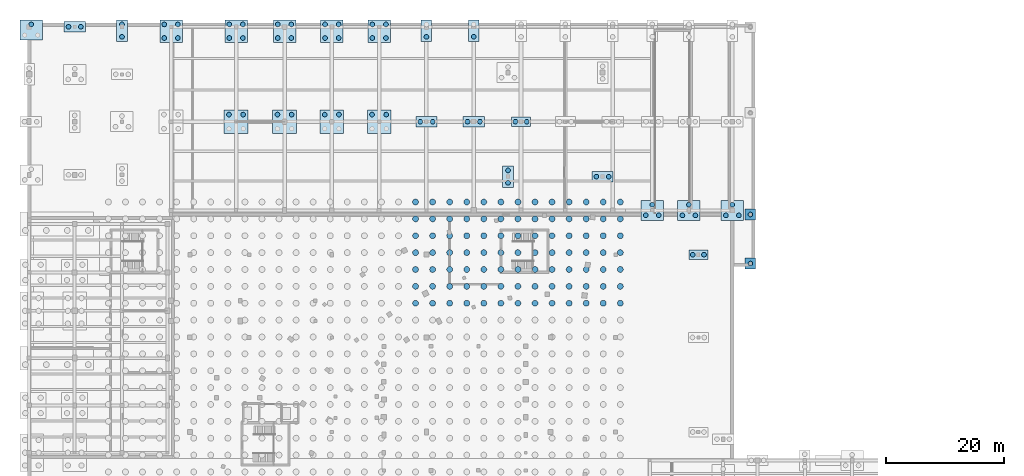
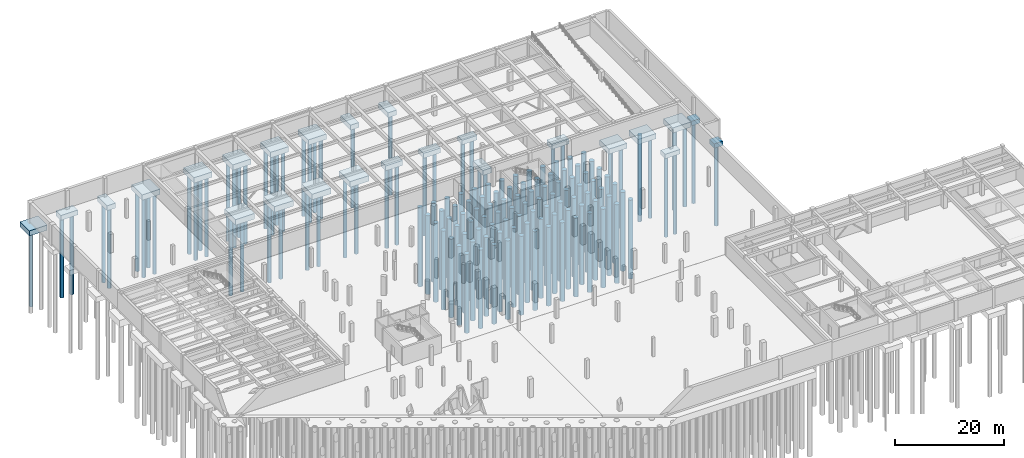
# One storey, part 6 of 36: 149 piles, 25 footings.
"""IFC4 building model written with IfcOpenShell, lengths in metres."""

from ifc_helpers import new_model, si_unit, direction, frame, origin, origin_2d, place, context, subcontext, project, spatial, rectangle, circle, extrude, material, material_profile, profile_set, type_object, element, save


model = new_model("IFC4")

# Units and contexts
model_context = context("Model", 3, precision=1e-05, world=origin(), true_north=direction((0.0, 1.0)))
body_context = subcontext(model_context, "Body", "Model", "MODEL_VIEW")
ifc_project = project(units=[si_unit("LENGTHUNIT", "METRE"), si_unit("AREAUNIT", "SQUARE_METRE"), si_unit("VOLUMEUNIT", "CUBIC_METRE"), si_unit("PLANEANGLEUNIT", "RADIAN"), si_unit("MASSUNIT", "GRAM", prefix="KILO"), si_unit("THERMODYNAMICTEMPERATUREUNIT", "KELVIN"), si_unit("POWERUNIT", "WATT")], contexts=[model_context])

# Site, building, storey
site_placement = place(None, origin())
site = spatial("IfcSite", under=ifc_project, at=site_placement, CompositionType="ELEMENT")
building_placement = place(site_placement, origin())
building = spatial("IfcBuilding", under=site, at=building_placement, Name="Solvatero Civic Police Headquarters", CompositionType="ELEMENT")
storey_placement = place(building_placement, frame((0.0, 0.0, -8.39990234375)))
storey = spatial("IfcBuildingStorey", under=building, at=storey_placement, Name="B02", CompositionType="ELEMENT", Elevation=-8.39990234375)

# Footings
ifc_material_1 = material(Name="Concrete C35/45", Category="concrete")
footing_type_1 = type_object("IfcFootingType", Name="PC-1P-180x180x100", PredefinedType="PILE_CAP", material=ifc_material_1)
for number, where, z_axis, x_axis, name in (
    (1, (126.800048828125, 76.5, -1.440185546875), (0.0, 0.0, 1.0), (1.0, 0.0, 0.0), "Driveway Pier Pile Cap 1"),
    (2, (126.800048828125, 84.800048828125, -1.440185546875), (0.0, 0.0, 1.0), (1.0, 0.0, 0.0), "Driveway Pier Pile Cap 2"),
):
    element("IfcFooting", number, at=place(storey_placement, frame(where, z_axis=z_axis, x_axis=x_axis)), inside=storey, type_object=footing_type_1, Name=name, PredefinedType="PILE_CAP", context=body_context, shape_type="SweptSolid", body=[
        extrude(rectangle(XDim=1.800048828125, YDim=1.800048828125, at=origin_2d()), origin(), (0.0, 0.0, 1.0), 1.0),
    ])
footing_type_2 = type_object("IfcFootingType", Name="PC-2P-180x360x110", PredefinedType="PILE_CAP", material=ifc_material_1)
for number, where, z_axis, x_axis, name in (
    (3, (85.800048828125, 91.199951171875, -1.5400390625), (0.0, 0.0, 1.0), (1.0, 0.0, 0.0), "Pile Cap FTG-R2-CUSY-SW"),
    (4, (72.0, 115.89990234375, -1.5400390625), (0.0, 0.0, 1.0), (1.0, 0.0, 0.0), "Pile Cap FTG-R2-V7-X6Y3"),
    (5, (80.0, 115.89990234375, -1.5400390625), (0.0, 0.0, 1.0), (1.0, 0.0, 0.0), "Pile Cap FTG-R2-V7-X7Y3"),
    (6, (20.5, 115.89990234375, -1.5400390625), (0.0, 0.0, 1.0), (1.0, 0.0, 0.0), "Pile Cap FTG-R2-V7NW-X3Y4"),
):
    element("IfcFooting", number, at=place(storey_placement, frame(where, z_axis=z_axis, x_axis=x_axis)), inside=storey, type_object=footing_type_2, Name=name, PredefinedType="PILE_CAP", context=body_context, shape_type="SweptSolid", body=[
        extrude(rectangle(XDim=1.800048828125, YDim=3.60009765625, at=origin_2d()), origin(), (0.0, 0.0, 1.0), 1.10009765625),
    ])
footing_type_3 = type_object("IfcFootingType", Name="PC-2P-320x160x100", PredefinedType="PILE_CAP", material=ifc_material_1)
for number, where, z_axis, x_axis, name in (
    (7, (118.0, 78.0, -1.440185546875), (0.0, 0.0, 1.0), (1.0, 0.0, 0.0), "Pile Cap FTG-R2-BSUB-M-X7Y3"),
    (8, (88.0, 100.5, -1.440185546875), (0.0, 0.0, 1.0), (1.0, 0.0, 0.0), "Pile Cap FTG-R2-V7-X8Y2"),
):
    element("IfcFooting", number, at=place(storey_placement, frame(where, z_axis=z_axis, x_axis=x_axis)), inside=storey, type_object=footing_type_3, Name=name, PredefinedType="PILE_CAP", context=body_context, shape_type="SweptSolid", body=[
        extrude(rectangle(XDim=3.199951171875, YDim=1.60009765625, at=origin_2d()), origin(), (0.0, 0.0, 1.0), 1.0),
    ])
footing_type_4 = type_object("IfcFootingType", Name="PC-2P-360x180x110", PredefinedType="PILE_CAP", material=ifc_material_1)
for number, where, z_axis, x_axis, name in (
    (9, (101.800048828125, 91.199951171875, -1.5400390625), (0.0, 0.0, 1.0), (1.0, 0.0, 0.0), "Pile Cap FTG-R2-CUSY-SE"),
    (10, (72.0, 100.5, -1.5400390625), (0.0, 0.0, 1.0), (1.0, 0.0, 0.0), "Pile Cap FTG-R2-V7-X6Y2"),
    (11, (80.0, 100.5, -1.5400390625), (0.0, 0.0, 1.0), (1.0, 0.0, 0.0), "Pile Cap FTG-R2-V7-X7Y2"),
    (12, (12.5, 116.550048828125, -1.5400390625), (0.0, 0.0, 1.0), (1.0, 0.0, 0.0), "Pile Cap FTG-R2-V7NW-X2Y4"),
):
    element("IfcFooting", number, at=place(storey_placement, frame(where, z_axis=z_axis, x_axis=x_axis)), inside=storey, type_object=footing_type_4, Name=name, PredefinedType="PILE_CAP", context=body_context, shape_type="SweptSolid", body=[
        extrude(rectangle(XDim=3.60009765625, YDim=1.800048828125, at=origin_2d()), origin(), (0.0, 0.0, 1.0), 1.10009765625),
    ])
footing_type_5 = type_object("IfcFootingType", Name="PC-3P-380x340x115", PredefinedType="PILE_CAP", material=ifc_material_1)
for number, where, z_axis, x_axis, name in (
    (13, (110.199951171875, 85.5, -1.590087890625), (0.0, 0.0, 1.0), (1.0, 0.0, 0.0), "Pile Cap FTG-R2-V7-X11Y1"),
    (14, (116.39990234375, 85.5, -1.590087890625), (0.0, 0.0, 1.0), (1.0, 0.0, 0.0), "Pile Cap FTG-R2-V7-X12Y1"),
    (15, (123.75, 85.5, -1.590087890625), (0.0, 0.0, 1.0), (1.0, 0.0, 0.0), "Pile Cap FTG-R2-V7-X13Y1"),
    (16, (5.14990234375, 116.0, -1.590087890625), (0.0, 0.0, 1.0), (1.0, 0.0, 0.0), "Pile Cap FTG-R2-V7NW-X1Y4"),
):
    element("IfcFooting", number, at=place(storey_placement, frame(where, z_axis=z_axis, x_axis=x_axis)), inside=storey, type_object=footing_type_5, Name=name, PredefinedType="PILE_CAP", context=body_context, shape_type="SweptSolid", body=[
        extrude(rectangle(XDim=3.800048828125, YDim=3.39990234375, at=origin_2d()), origin(), (0.0, 0.0, 1.0), 1.14990234375),
    ])
footing_type_6 = type_object("IfcFootingType", Name="PC-4P-380x380x120", PredefinedType="PILE_CAP", material=ifc_material_1)
for number, where, z_axis, x_axis, name in (
    (17, (28.800048828125, 115.800048828125, -1.64013671875), (0.0, 0.0, 1.0), (1.0, 0.0, 0.0), "Pile Cap FTG-R2-V7-X1Y3"),
    (18, (39.800048828125, 115.800048828125, -1.64013671875), (0.0, 0.0, 1.0), (1.0, 0.0, 0.0), "Pile Cap FTG-R2-V7-X2Y3"),
    (19, (48.0, 115.800048828125, -1.64013671875), (0.0, 0.0, 1.0), (1.0, 0.0, 0.0), "Pile Cap FTG-R2-V7-X3Y3"),
    (20, (56.0, 115.800048828125, -1.64013671875), (0.0, 0.0, 1.0), (1.0, 0.0, 0.0), "Pile Cap FTG-R2-V7-X4Y3"),
    (21, (64.0, 115.800048828125, -1.64013671875), (0.0, 0.0, 1.0), (1.0, 0.0, 0.0), "Pile Cap FTG-R2-V7-X5Y3"),
):
    element("IfcFooting", number, at=place(storey_placement, frame(where, z_axis=z_axis, x_axis=x_axis)), inside=storey, type_object=footing_type_6, Name=name, PredefinedType="PILE_CAP", context=body_context, shape_type="SweptSolid", body=[
        extrude(rectangle(XDim=3.800048828125, YDim=3.800048828125, at=origin_2d()), origin(), (0.0, 0.0, 1.0), 1.199951171875),
    ])
footing_type_7 = type_object("IfcFootingType", Name="PC-4P-400x400x125", PredefinedType="PILE_CAP", material=ifc_material_1)
for number, where, z_axis, x_axis, name in (
    (22, (39.800048828125, 100.5, -1.690185546875), (0.0, 0.0, 1.0), (1.0, 0.0, 0.0), "Pile Cap FTG-R2-V7-X2Y2"),
    (23, (48.0, 100.5, -1.690185546875), (0.0, 0.0, 1.0), (1.0, 0.0, 0.0), "Pile Cap FTG-R2-V7-X3Y2"),
    (24, (56.0, 100.5, -1.690185546875), (0.0, 0.0, 1.0), (1.0, 0.0, 0.0), "Pile Cap FTG-R2-V7-X4Y2"),
    (25, (64.0, 100.5, -1.690185546875), (0.0, 0.0, 1.0), (1.0, 0.0, 0.0), "Pile Cap FTG-R2-V7-X5Y2"),
):
    element("IfcFooting", number, at=place(storey_placement, frame(where, z_axis=z_axis, x_axis=x_axis)), inside=storey, type_object=footing_type_7, Name=name, PredefinedType="PILE_CAP", context=body_context, shape_type="SweptSolid", body=[
        extrude(rectangle(XDim=4.0, YDim=4.0, at=origin_2d()), origin(), (0.0, 0.0, 1.0), 1.25),
    ])

# Piles
ifc_material_2 = material(Name="Concrete C32/40", Category="concrete")
ifc_material_profile_1 = material_profile(ifc_material_2, circle(Radius=0.5, at=origin_2d()), Name="CFA PILE D1000")
ifc_profile_set_1 = profile_set([ifc_material_profile_1], Name="Concrete C32/40")
pile_type_1 = type_object("IfcPileType", Name="PL-CFA-1000", PredefinedType="BORED", material=ifc_profile_set_1)
for number, where, z_axis, x_axis, name in (
    (26, (70.159912109375, 69.789306640625, -1.7900390625), (0.0, 0.0, -1.0), (1.0, 0.0, 0.0), "Bored Pile ARC-S00-IN-564"),
    (27, (70.159912109375, 72.643310546875, -1.7900390625), (0.0, 0.0, -1.0), (1.0, 0.0, 0.0), "Bored Pile ARC-S00-IN-565"),
    (28, (70.159912109375, 75.4970703125, -1.7900390625), (0.0, 0.0, -1.0), (1.0, 0.0, 0.0), "Bored Pile ARC-S00-IN-566"),
    (29, (70.159912109375, 78.350830078125, -1.7900390625), (0.0, 0.0, -1.0), (1.0, 0.0, 0.0), "Bored Pile ARC-S00-IN-567"),
    (30, (70.159912109375, 81.20458984375, -1.7900390625), (0.0, 0.0, -1.0), (1.0, 0.0, 0.0), "Bored Pile ARC-S00-IN-568"),
    (31, (70.159912109375, 84.058349609375, -1.7900390625), (0.0, 0.0, -1.0), (1.0, 0.0, 0.0), "Bored Pile ARC-S00-IN-569"),
    (32, (70.159912109375, 86.912109375, -1.7900390625), (0.0, 0.0, -1.0), (1.0, 0.0, 0.0), "Bored Pile ARC-S00-IN-570"),
    (33, (73.046630859375, 69.789306640625, -1.7900390625), (0.0, 0.0, -1.0), (1.0, 0.0, 0.0), "Bored Pile ARC-S00-IN-594"),
    (34, (73.046630859375, 72.643310546875, -1.7900390625), (0.0, 0.0, -1.0), (1.0, 0.0, 0.0), "Bored Pile ARC-S00-IN-595"),
    (35, (73.046630859375, 75.4970703125, -1.7900390625), (0.0, 0.0, -1.0), (1.0, 0.0, 0.0), "Bored Pile ARC-S00-IN-596"),
    (36, (73.046630859375, 78.350830078125, -1.7900390625), (0.0, 0.0, -1.0), (1.0, 0.0, 0.0), "Bored Pile ARC-S00-IN-597"),
    (37, (73.046630859375, 81.20458984375, -1.7900390625), (0.0, 0.0, -1.0), (1.0, 0.0, 0.0), "Bored Pile ARC-S00-IN-598"),
    (38, (73.046630859375, 84.058349609375, -1.7900390625), (0.0, 0.0, -1.0), (1.0, 0.0, 0.0), "Bored Pile ARC-S00-IN-599"),
    (39, (73.046630859375, 86.912109375, -1.7900390625), (0.0, 0.0, -1.0), (1.0, 0.0, 0.0), "Bored Pile ARC-S00-IN-600"),
    (40, (75.933349609375, 69.789306640625, -1.7900390625), (0.0, 0.0, -1.0), (1.0, 0.0, 0.0), "Bored Pile ARC-S00-IN-624"),
    (41, (75.933349609375, 72.643310546875, -1.7900390625), (0.0, 0.0, -1.0), (1.0, 0.0, 0.0), "Bored Pile ARC-S00-IN-625"),
    (42, (75.933349609375, 75.4970703125, -1.7900390625), (0.0, 0.0, -1.0), (1.0, 0.0, 0.0), "Bored Pile ARC-S00-IN-626"),
    (43, (75.933349609375, 78.350830078125, -1.7900390625), (0.0, 0.0, -1.0), (1.0, 0.0, 0.0), "Bored Pile ARC-S00-IN-627"),
    (44, (75.933349609375, 81.20458984375, -1.7900390625), (0.0, 0.0, -1.0), (1.0, 0.0, 0.0), "Bored Pile ARC-S00-IN-628"),
    (45, (75.933349609375, 84.058349609375, -1.7900390625), (0.0, 0.0, -1.0), (1.0, 0.0, 0.0), "Bored Pile ARC-S00-IN-629"),
    (46, (75.933349609375, 86.912109375, -1.7900390625), (0.0, 0.0, -1.0), (1.0, 0.0, 0.0), "Bored Pile ARC-S00-IN-630"),
    (47, (78.820068359375, 69.789306640625, -1.7900390625), (0.0, 0.0, -1.0), (1.0, 0.0, 0.0), "Bored Pile ARC-S00-IN-654"),
    (48, (78.820068359375, 72.643310546875, -1.7900390625), (0.0, 0.0, -1.0), (1.0, 0.0, 0.0), "Bored Pile ARC-S00-IN-655"),
    (49, (78.820068359375, 75.4970703125, -1.7900390625), (0.0, 0.0, -1.0), (1.0, 0.0, 0.0), "Bored Pile ARC-S00-IN-656"),
    (50, (78.820068359375, 78.350830078125, -1.7900390625), (0.0, 0.0, -1.0), (1.0, 0.0, 0.0), "Bored Pile ARC-S00-IN-657"),
    (51, (78.820068359375, 81.20458984375, -1.7900390625), (0.0, 0.0, -1.0), (1.0, 0.0, 0.0), "Bored Pile ARC-S00-IN-658"),
    (52, (78.820068359375, 84.058349609375, -1.7900390625), (0.0, 0.0, -1.0), (1.0, 0.0, 0.0), "Bored Pile ARC-S00-IN-659"),
    (53, (78.820068359375, 86.912109375, -1.7900390625), (0.0, 0.0, -1.0), (1.0, 0.0, 0.0), "Bored Pile ARC-S00-IN-660"),
    (54, (81.706787109375, 69.789306640625, -1.7900390625), (0.0, 0.0, -1.0), (1.0, 0.0, 0.0), "Bored Pile ARC-S00-IN-684"),
    (55, (81.706787109375, 72.643310546875, -1.7900390625), (0.0, 0.0, -1.0), (1.0, 0.0, 0.0), "Bored Pile ARC-S00-IN-685"),
    (56, (81.706787109375, 75.4970703125, -1.7900390625), (0.0, 0.0, -1.0), (1.0, 0.0, 0.0), "Bored Pile ARC-S00-IN-686"),
    (57, (81.706787109375, 78.350830078125, -1.7900390625), (0.0, 0.0, -1.0), (1.0, 0.0, 0.0), "Bored Pile ARC-S00-IN-687"),
    (58, (81.706787109375, 81.20458984375, -1.7900390625), (0.0, 0.0, -1.0), (1.0, 0.0, 0.0), "Bored Pile ARC-S00-IN-688"),
    (59, (81.706787109375, 84.058349609375, -1.7900390625), (0.0, 0.0, -1.0), (1.0, 0.0, 0.0), "Bored Pile ARC-S00-IN-689"),
    (60, (81.706787109375, 86.912109375, -1.7900390625), (0.0, 0.0, -1.0), (1.0, 0.0, 0.0), "Bored Pile ARC-S00-IN-690"),
    (61, (84.59326171875, 69.789306640625, -1.7900390625), (0.0, 0.0, -1.0), (1.0, 0.0, 0.0), "Bored Pile ARC-S00-IN-714"),
    (62, (84.59326171875, 72.643310546875, -1.7900390625), (0.0, 0.0, -1.0), (1.0, 0.0, 0.0), "Bored Pile ARC-S00-IN-715"),
    (63, (84.59326171875, 75.4970703125, -1.7900390625), (0.0, 0.0, -1.0), (1.0, 0.0, 0.0), "Bored Pile ARC-S00-IN-716"),
    (64, (84.59326171875, 78.350830078125, -1.7900390625), (0.0, 0.0, -1.0), (1.0, 0.0, 0.0), "Bored Pile ARC-S00-IN-717"),
    (65, (84.59326171875, 81.20458984375, -1.7900390625), (0.0, 0.0, -1.0), (1.0, 0.0, 0.0), "Bored Pile ARC-S00-IN-718"),
    (66, (84.59326171875, 84.058349609375, -1.7900390625), (0.0, 0.0, -1.0), (1.0, 0.0, 0.0), "Bored Pile ARC-S00-IN-719"),
    (67, (84.59326171875, 86.912109375, -1.7900390625), (0.0, 0.0, -1.0), (1.0, 0.0, 0.0), "Bored Pile ARC-S00-IN-720"),
    (68, (87.47998046875, 69.789306640625, -1.7900390625), (0.0, 0.0, -1.0), (1.0, 0.0, 0.0), "Bored Pile ARC-S00-IN-744"),
    (69, (87.47998046875, 72.643310546875, -1.7900390625), (0.0, 0.0, -1.0), (1.0, 0.0, 0.0), "Bored Pile ARC-S00-IN-745"),
    (70, (87.47998046875, 75.4970703125, -1.7900390625), (0.0, 0.0, -1.0), (1.0, 0.0, 0.0), "Bored Pile ARC-S00-IN-746"),
    (71, (87.47998046875, 78.350830078125, -1.7900390625), (0.0, 0.0, -1.0), (1.0, 0.0, 0.0), "Bored Pile ARC-S00-IN-747"),
    (72, (87.47998046875, 81.20458984375, -1.7900390625), (0.0, 0.0, -1.0), (1.0, 0.0, 0.0), "Bored Pile ARC-S00-IN-748"),
    (73, (87.47998046875, 84.058349609375, -1.7900390625), (0.0, 0.0, -1.0), (1.0, 0.0, 0.0), "Bored Pile ARC-S00-IN-749"),
    (74, (87.47998046875, 86.912109375, -1.7900390625), (0.0, 0.0, -1.0), (1.0, 0.0, 0.0), "Bored Pile ARC-S00-IN-750"),
    (75, (90.36669921875, 69.789306640625, -1.7900390625), (0.0, 0.0, -1.0), (1.0, 0.0, 0.0), "Bored Pile ARC-S00-IN-774"),
    (76, (90.36669921875, 72.643310546875, -1.7900390625), (0.0, 0.0, -1.0), (1.0, 0.0, 0.0), "Bored Pile ARC-S00-IN-775"),
    (77, (90.36669921875, 75.4970703125, -1.7900390625), (0.0, 0.0, -1.0), (1.0, 0.0, 0.0), "Bored Pile ARC-S00-IN-776"),
    (78, (90.36669921875, 78.350830078125, -1.7900390625), (0.0, 0.0, -1.0), (1.0, 0.0, 0.0), "Bored Pile ARC-S00-IN-777"),
    (79, (90.36669921875, 81.20458984375, -1.7900390625), (0.0, 0.0, -1.0), (1.0, 0.0, 0.0), "Bored Pile ARC-S00-IN-778"),
    (80, (90.36669921875, 84.058349609375, -1.7900390625), (0.0, 0.0, -1.0), (1.0, 0.0, 0.0), "Bored Pile ARC-S00-IN-779"),
    (81, (90.36669921875, 86.912109375, -1.7900390625), (0.0, 0.0, -1.0), (1.0, 0.0, 0.0), "Bored Pile ARC-S00-IN-780"),
    (82, (93.25341796875, 69.789306640625, -1.7900390625), (0.0, 0.0, -1.0), (1.0, 0.0, 0.0), "Bored Pile ARC-S00-IN-804"),
    (83, (93.25341796875, 72.643310546875, -1.7900390625), (0.0, 0.0, -1.0), (1.0, 0.0, 0.0), "Bored Pile ARC-S00-IN-805"),
    (84, (93.25341796875, 75.4970703125, -1.7900390625), (0.0, 0.0, -1.0), (1.0, 0.0, 0.0), "Bored Pile ARC-S00-IN-806"),
    (85, (93.25341796875, 78.350830078125, -1.7900390625), (0.0, 0.0, -1.0), (1.0, 0.0, 0.0), "Bored Pile ARC-S00-IN-807"),
    (86, (93.25341796875, 81.20458984375, -1.7900390625), (0.0, 0.0, -1.0), (1.0, 0.0, 0.0), "Bored Pile ARC-S00-IN-808"),
    (87, (93.25341796875, 84.058349609375, -1.7900390625), (0.0, 0.0, -1.0), (1.0, 0.0, 0.0), "Bored Pile ARC-S00-IN-809"),
    (88, (93.25341796875, 86.912109375, -1.7900390625), (0.0, 0.0, -1.0), (1.0, 0.0, 0.0), "Bored Pile ARC-S00-IN-810"),
    (89, (96.139892578125, 69.789306640625, -1.7900390625), (0.0, 0.0, -1.0), (1.0, 0.0, 0.0), "Bored Pile ARC-S00-IN-834"),
    (90, (96.139892578125, 72.643310546875, -1.7900390625), (0.0, 0.0, -1.0), (1.0, 0.0, 0.0), "Bored Pile ARC-S00-IN-835"),
    (91, (96.139892578125, 75.4970703125, -1.7900390625), (0.0, 0.0, -1.0), (1.0, 0.0, 0.0), "Bored Pile ARC-S00-IN-836"),
    (92, (96.139892578125, 78.350830078125, -1.7900390625), (0.0, 0.0, -1.0), (1.0, 0.0, 0.0), "Bored Pile ARC-S00-IN-837"),
    (93, (96.139892578125, 81.20458984375, -1.7900390625), (0.0, 0.0, -1.0), (1.0, 0.0, 0.0), "Bored Pile ARC-S00-IN-838"),
    (94, (96.139892578125, 84.058349609375, -1.7900390625), (0.0, 0.0, -1.0), (1.0, 0.0, 0.0), "Bored Pile ARC-S00-IN-839"),
    (95, (96.139892578125, 86.912109375, -1.7900390625), (0.0, 0.0, -1.0), (1.0, 0.0, 0.0), "Bored Pile ARC-S00-IN-840"),
    (96, (99.026611328125, 69.789306640625, -1.7900390625), (0.0, 0.0, -1.0), (1.0, 0.0, 0.0), "Bored Pile ARC-S00-IN-864"),
    (97, (99.026611328125, 72.643310546875, -1.7900390625), (0.0, 0.0, -1.0), (1.0, 0.0, 0.0), "Bored Pile ARC-S00-IN-865"),
    (98, (99.026611328125, 75.4970703125, -1.7900390625), (0.0, 0.0, -1.0), (1.0, 0.0, 0.0), "Bored Pile ARC-S00-IN-866"),
    (99, (99.026611328125, 78.350830078125, -1.7900390625), (0.0, 0.0, -1.0), (1.0, 0.0, 0.0), "Bored Pile ARC-S00-IN-867"),
    (100, (99.026611328125, 81.20458984375, -1.7900390625), (0.0, 0.0, -1.0), (1.0, 0.0, 0.0), "Bored Pile ARC-S00-IN-868"),
    (101, (99.026611328125, 84.058349609375, -1.7900390625), (0.0, 0.0, -1.0), (1.0, 0.0, 0.0), "Bored Pile ARC-S00-IN-869"),
    (102, (99.026611328125, 86.912109375, -1.7900390625), (0.0, 0.0, -1.0), (1.0, 0.0, 0.0), "Bored Pile ARC-S00-IN-870"),
    (103, (101.913330078125, 69.789306640625, -1.7900390625), (0.0, 0.0, -1.0), (1.0, 0.0, 0.0), "Bored Pile ARC-S00-IN-894"),
    (104, (101.913330078125, 72.643310546875, -1.7900390625), (0.0, 0.0, -1.0), (1.0, 0.0, 0.0), "Bored Pile ARC-S00-IN-895"),
    (105, (101.913330078125, 75.4970703125, -1.7900390625), (0.0, 0.0, -1.0), (1.0, 0.0, 0.0), "Bored Pile ARC-S00-IN-896"),
    (106, (101.913330078125, 78.350830078125, -1.7900390625), (0.0, 0.0, -1.0), (1.0, 0.0, 0.0), "Bored Pile ARC-S00-IN-897"),
    (107, (101.913330078125, 81.20458984375, -1.7900390625), (0.0, 0.0, -1.0), (1.0, 0.0, 0.0), "Bored Pile ARC-S00-IN-898"),
    (108, (101.913330078125, 84.058349609375, -1.7900390625), (0.0, 0.0, -1.0), (1.0, 0.0, 0.0), "Bored Pile ARC-S00-IN-899"),
    (109, (101.913330078125, 86.912109375, -1.7900390625), (0.0, 0.0, -1.0), (1.0, 0.0, 0.0), "Bored Pile ARC-S00-IN-900"),
    (110, (104.800048828125, 69.789306640625, -1.7900390625), (0.0, 0.0, -1.0), (1.0, 0.0, 0.0), "Bored Pile ARC-S00-IN-924"),
    (111, (104.800048828125, 72.643310546875, -1.7900390625), (0.0, 0.0, -1.0), (1.0, 0.0, 0.0), "Bored Pile ARC-S00-IN-925"),
    (112, (104.800048828125, 75.4970703125, -1.7900390625), (0.0, 0.0, -1.0), (1.0, 0.0, 0.0), "Bored Pile ARC-S00-IN-926"),
    (113, (104.800048828125, 78.350830078125, -1.7900390625), (0.0, 0.0, -1.0), (1.0, 0.0, 0.0), "Bored Pile ARC-S00-IN-927"),
    (114, (104.800048828125, 81.20458984375, -1.7900390625), (0.0, 0.0, -1.0), (1.0, 0.0, 0.0), "Bored Pile ARC-S00-IN-928"),
    (115, (104.800048828125, 84.058349609375, -1.7900390625), (0.0, 0.0, -1.0), (1.0, 0.0, 0.0), "Bored Pile ARC-S00-IN-929"),
    (116, (104.800048828125, 86.912109375, -1.7900390625), (0.0, 0.0, -1.0), (1.0, 0.0, 0.0), "Bored Pile ARC-S00-IN-930"),
):
    element("IfcPile", number, at=place(storey_placement, frame(where, z_axis=z_axis, x_axis=x_axis)), inside=storey, type_object=pile_type_1, Name=name, PredefinedType="BORED", context=body_context, shape_type="SweptSolid", body=[
        extrude(circle(Radius=0.5, at=origin_2d()), origin(), (0.0, 0.0, 1.0), 17.659912109375),
    ])
ifc_material_profile_2 = material_profile(ifc_material_2, circle(Radius=0.39990234375, at=origin_2d()), Name="CFA PILE D800")
ifc_profile_set_2 = profile_set([ifc_material_profile_2], Name="Concrete C32/40")
pile_type_2 = type_object("IfcPileType", Name="PL-CFA-800", PredefinedType="BORED", material=ifc_profile_set_2)
for number, where, z_axis, x_axis, name in (
    (117, (117.050048828125, 78.0, -1.340087890625), (0.0, 0.0, -1.0), (1.0, 0.0, 0.0), "Bored Pile BSUB-M-X7Y3-1"),
    (118, (118.949951171875, 78.0, -1.340087890625), (0.0, 0.0, -1.0), (1.0, 0.0, 0.0), "Bored Pile BSUB-M-X7Y3-2"),
):
    element("IfcPile", number, at=place(storey_placement, frame(where, z_axis=z_axis, x_axis=x_axis)), inside=storey, type_object=pile_type_2, Name=name, PredefinedType="BORED", context=body_context, shape_type="SweptSolid", body=[
        extrude(circle(Radius=0.39990234375, at=origin_2d()), origin(), (0.0, 0.0, 1.0), 18.110107421875),
    ])
for number, where, z_axis, x_axis, name in (
    (119, (100.75, 91.199951171875, -1.440185546875), (0.0, 0.0, -1.0), (1.0, 0.0, 0.0), "Bored Pile CUSY-SE-1"),
    (120, (102.85009765625, 91.199951171875, -1.440185546875), (0.0, 0.0, -1.0), (1.0, 0.0, 0.0), "Bored Pile CUSY-SE-2"),
    (121, (85.800048828125, 90.14990234375, -1.440185546875), (0.0, 0.0, -1.0), (1.0, 0.0, 0.0), "Bored Pile CUSY-SW-1"),
    (122, (85.800048828125, 92.25, -1.440185546875), (0.0, 0.0, -1.0), (1.0, 0.0, 0.0), "Bored Pile CUSY-SW-2"),
):
    element("IfcPile", number, at=place(storey_placement, frame(where, z_axis=z_axis, x_axis=x_axis)), inside=storey, type_object=pile_type_2, Name=name, PredefinedType="BORED", context=body_context, shape_type="SweptSolid", body=[
        extrude(circle(Radius=0.39990234375, at=origin_2d()), origin(), (0.0, 0.0, 1.0), 18.010009765625),
    ])
for number, where, z_axis, x_axis, name in (
    (123, (109.10009765625, 84.64990234375, -1.489990234375), (0.0, 0.0, -1.0), (1.0, 0.0, 0.0), "Bored Pile V7-X11Y1-1"),
    (124, (111.300048828125, 84.64990234375, -1.489990234375), (0.0, 0.0, -1.0), (1.0, 0.0, 0.0), "Bored Pile V7-X11Y1-2"),
    (125, (110.199951171875, 86.449951171875, -1.489990234375), (0.0, 0.0, -1.0), (1.0, 0.0, 0.0), "Bored Pile V7-X11Y1-3"),
    (126, (115.300048828125, 84.64990234375, -1.489990234375), (0.0, 0.0, -1.0), (1.0, 0.0, 0.0), "Bored Pile V7-X12Y1-1"),
    (127, (117.5, 84.64990234375, -1.489990234375), (0.0, 0.0, -1.0), (1.0, 0.0, 0.0), "Bored Pile V7-X12Y1-2"),
    (128, (116.39990234375, 86.449951171875, -1.489990234375), (0.0, 0.0, -1.0), (1.0, 0.0, 0.0), "Bored Pile V7-X12Y1-3"),
    (129, (122.64990234375, 84.64990234375, -1.489990234375), (0.0, 0.0, -1.0), (1.0, 0.0, 0.0), "Bored Pile V7-X13Y1-1"),
    (130, (124.85009765625, 84.64990234375, -1.489990234375), (0.0, 0.0, -1.0), (1.0, 0.0, 0.0), "Bored Pile V7-X13Y1-2"),
    (131, (123.75, 86.449951171875, -1.489990234375), (0.0, 0.0, -1.0), (1.0, 0.0, 0.0), "Bored Pile V7-X13Y1-3"),
):
    element("IfcPile", number, at=place(storey_placement, frame(where, z_axis=z_axis, x_axis=x_axis)), inside=storey, type_object=pile_type_2, Name=name, PredefinedType="BORED", context=body_context, shape_type="SweptSolid", body=[
        extrude(circle(Radius=0.39990234375, at=origin_2d()), origin(), (0.0, 0.0, 1.0), 17.9599609375),
    ])
for number, where, z_axis, x_axis, name in (
    (132, (27.64990234375, 114.64990234375, -1.5400390625), (0.0, 0.0, -1.0), (1.0, 0.0, 0.0), "Bored Pile V7-X1Y3-1"),
    (133, (29.949951171875, 114.64990234375, -1.5400390625), (0.0, 0.0, -1.0), (1.0, 0.0, 0.0), "Bored Pile V7-X1Y3-2"),
    (134, (27.64990234375, 116.949951171875, -1.5400390625), (0.0, 0.0, -1.0), (1.0, 0.0, 0.0), "Bored Pile V7-X1Y3-3"),
    (135, (29.949951171875, 116.949951171875, -1.5400390625), (0.0, 0.0, -1.0), (1.0, 0.0, 0.0), "Bored Pile V7-X1Y3-4"),
):
    element("IfcPile", number, at=place(storey_placement, frame(where, z_axis=z_axis, x_axis=x_axis)), inside=storey, type_object=pile_type_2, Name=name, PredefinedType="BORED", context=body_context, shape_type="SweptSolid", body=[
        extrude(circle(Radius=0.39990234375, at=origin_2d()), origin(), (0.0, 0.0, 1.0), 17.909912109375),
    ])
for number, where, z_axis, x_axis, name in (
    (136, (38.60009765625, 101.699951171875, -1.590087890625), (0.0, 0.0, -1.0), (1.0, 0.0, 0.0), "Bored Pile V7-X2Y2-3"),
    (137, (41.0, 101.699951171875, -1.590087890625), (0.0, 0.0, -1.0), (1.0, 0.0, 0.0), "Bored Pile V7-X2Y2-4"),
):
    element("IfcPile", number, at=place(storey_placement, frame(where, z_axis=z_axis, x_axis=x_axis)), inside=storey, type_object=pile_type_2, Name=name, PredefinedType="BORED", context=body_context, shape_type="SweptSolid", body=[
        extrude(circle(Radius=0.39990234375, at=origin_2d()), origin(), (0.0, 0.0, 1.0), 17.860107421875),
    ])
for number, where, z_axis, x_axis, name in (
    (138, (38.64990234375, 114.64990234375, -1.5400390625), (0.0, 0.0, -1.0), (1.0, 0.0, 0.0), "Bored Pile V7-X2Y3-1"),
    (139, (40.949951171875, 114.64990234375, -1.5400390625), (0.0, 0.0, -1.0), (1.0, 0.0, 0.0), "Bored Pile V7-X2Y3-2"),
    (140, (38.64990234375, 116.949951171875, -1.5400390625), (0.0, 0.0, -1.0), (1.0, 0.0, 0.0), "Bored Pile V7-X2Y3-3"),
    (141, (40.949951171875, 116.949951171875, -1.5400390625), (0.0, 0.0, -1.0), (1.0, 0.0, 0.0), "Bored Pile V7-X2Y3-4"),
):
    element("IfcPile", number, at=place(storey_placement, frame(where, z_axis=z_axis, x_axis=x_axis)), inside=storey, type_object=pile_type_2, Name=name, PredefinedType="BORED", context=body_context, shape_type="SweptSolid", body=[
        extrude(circle(Radius=0.39990234375, at=origin_2d()), origin(), (0.0, 0.0, 1.0), 17.909912109375),
    ])
for number, where, z_axis, x_axis, name in (
    (142, (46.800048828125, 101.699951171875, -1.590087890625), (0.0, 0.0, -1.0), (1.0, 0.0, 0.0), "Bored Pile V7-X3Y2-3"),
    (143, (49.199951171875, 101.699951171875, -1.590087890625), (0.0, 0.0, -1.0), (1.0, 0.0, 0.0), "Bored Pile V7-X3Y2-4"),
):
    element("IfcPile", number, at=place(storey_placement, frame(where, z_axis=z_axis, x_axis=x_axis)), inside=storey, type_object=pile_type_2, Name=name, PredefinedType="BORED", context=body_context, shape_type="SweptSolid", body=[
        extrude(circle(Radius=0.39990234375, at=origin_2d()), origin(), (0.0, 0.0, 1.0), 17.860107421875),
    ])
for number, where, z_axis, x_axis, name in (
    (144, (46.85009765625, 114.64990234375, -1.5400390625), (0.0, 0.0, -1.0), (1.0, 0.0, 0.0), "Bored Pile V7-X3Y3-1"),
    (145, (49.14990234375, 114.64990234375, -1.5400390625), (0.0, 0.0, -1.0), (1.0, 0.0, 0.0), "Bored Pile V7-X3Y3-2"),
    (146, (46.85009765625, 116.949951171875, -1.5400390625), (0.0, 0.0, -1.0), (1.0, 0.0, 0.0), "Bored Pile V7-X3Y3-3"),
    (147, (49.14990234375, 116.949951171875, -1.5400390625), (0.0, 0.0, -1.0), (1.0, 0.0, 0.0), "Bored Pile V7-X3Y3-4"),
):
    element("IfcPile", number, at=place(storey_placement, frame(where, z_axis=z_axis, x_axis=x_axis)), inside=storey, type_object=pile_type_2, Name=name, PredefinedType="BORED", context=body_context, shape_type="SweptSolid", body=[
        extrude(circle(Radius=0.39990234375, at=origin_2d()), origin(), (0.0, 0.0, 1.0), 17.909912109375),
    ])
for number, where, z_axis, x_axis, name in (
    (148, (54.800048828125, 101.699951171875, -1.590087890625), (0.0, 0.0, -1.0), (1.0, 0.0, 0.0), "Bored Pile V7-X4Y2-3"),
    (149, (57.199951171875, 101.699951171875, -1.590087890625), (0.0, 0.0, -1.0), (1.0, 0.0, 0.0), "Bored Pile V7-X4Y2-4"),
):
    element("IfcPile", number, at=place(storey_placement, frame(where, z_axis=z_axis, x_axis=x_axis)), inside=storey, type_object=pile_type_2, Name=name, PredefinedType="BORED", context=body_context, shape_type="SweptSolid", body=[
        extrude(circle(Radius=0.39990234375, at=origin_2d()), origin(), (0.0, 0.0, 1.0), 17.860107421875),
    ])
for number, where, z_axis, x_axis, name in (
    (150, (54.85009765625, 114.64990234375, -1.5400390625), (0.0, 0.0, -1.0), (1.0, 0.0, 0.0), "Bored Pile V7-X4Y3-1"),
    (151, (57.14990234375, 114.64990234375, -1.5400390625), (0.0, 0.0, -1.0), (1.0, 0.0, 0.0), "Bored Pile V7-X4Y3-2"),
    (152, (54.85009765625, 116.949951171875, -1.5400390625), (0.0, 0.0, -1.0), (1.0, 0.0, 0.0), "Bored Pile V7-X4Y3-3"),
    (153, (57.14990234375, 116.949951171875, -1.5400390625), (0.0, 0.0, -1.0), (1.0, 0.0, 0.0), "Bored Pile V7-X4Y3-4"),
):
    element("IfcPile", number, at=place(storey_placement, frame(where, z_axis=z_axis, x_axis=x_axis)), inside=storey, type_object=pile_type_2, Name=name, PredefinedType="BORED", context=body_context, shape_type="SweptSolid", body=[
        extrude(circle(Radius=0.39990234375, at=origin_2d()), origin(), (0.0, 0.0, 1.0), 17.909912109375),
    ])
for number, where, z_axis, x_axis, name in (
    (154, (62.800048828125, 101.699951171875, -1.590087890625), (0.0, 0.0, -1.0), (1.0, 0.0, 0.0), "Bored Pile V7-X5Y2-3"),
    (155, (65.199951171875, 101.699951171875, -1.590087890625), (0.0, 0.0, -1.0), (1.0, 0.0, 0.0), "Bored Pile V7-X5Y2-4"),
):
    element("IfcPile", number, at=place(storey_placement, frame(where, z_axis=z_axis, x_axis=x_axis)), inside=storey, type_object=pile_type_2, Name=name, PredefinedType="BORED", context=body_context, shape_type="SweptSolid", body=[
        extrude(circle(Radius=0.39990234375, at=origin_2d()), origin(), (0.0, 0.0, 1.0), 17.860107421875),
    ])
for number, where, z_axis, x_axis, name in (
    (156, (62.85009765625, 114.64990234375, -1.5400390625), (0.0, 0.0, -1.0), (1.0, 0.0, 0.0), "Bored Pile V7-X5Y3-1"),
    (157, (65.14990234375, 114.64990234375, -1.5400390625), (0.0, 0.0, -1.0), (1.0, 0.0, 0.0), "Bored Pile V7-X5Y3-2"),
    (158, (62.85009765625, 116.949951171875, -1.5400390625), (0.0, 0.0, -1.0), (1.0, 0.0, 0.0), "Bored Pile V7-X5Y3-3"),
    (159, (65.14990234375, 116.949951171875, -1.5400390625), (0.0, 0.0, -1.0), (1.0, 0.0, 0.0), "Bored Pile V7-X5Y3-4"),
):
    element("IfcPile", number, at=place(storey_placement, frame(where, z_axis=z_axis, x_axis=x_axis)), inside=storey, type_object=pile_type_2, Name=name, PredefinedType="BORED", context=body_context, shape_type="SweptSolid", body=[
        extrude(circle(Radius=0.39990234375, at=origin_2d()), origin(), (0.0, 0.0, 1.0), 17.909912109375),
    ])
for number, where, z_axis, x_axis, name in (
    (160, (70.949951171875, 100.5, -1.440185546875), (0.0, 0.0, -1.0), (1.0, 0.0, 0.0), "Bored Pile V7-X6Y2-1"),
    (161, (73.050048828125, 100.5, -1.440185546875), (0.0, 0.0, -1.0), (1.0, 0.0, 0.0), "Bored Pile V7-X6Y2-2"),
    (162, (72.0, 114.85009765625, -1.440185546875), (0.0, 0.0, -1.0), (1.0, 0.0, 0.0), "Bored Pile V7-X6Y3-1"),
    (163, (78.949951171875, 100.5, -1.440185546875), (0.0, 0.0, -1.0), (1.0, 0.0, 0.0), "Bored Pile V7-X7Y2-1"),
    (164, (81.050048828125, 100.5, -1.440185546875), (0.0, 0.0, -1.0), (1.0, 0.0, 0.0), "Bored Pile V7-X7Y2-2"),
    (165, (80.0, 114.85009765625, -1.440185546875), (0.0, 0.0, -1.0), (1.0, 0.0, 0.0), "Bored Pile V7-X7Y3-1"),
):
    element("IfcPile", number, at=place(storey_placement, frame(where, z_axis=z_axis, x_axis=x_axis)), inside=storey, type_object=pile_type_2, Name=name, PredefinedType="BORED", context=body_context, shape_type="SweptSolid", body=[
        extrude(circle(Radius=0.39990234375, at=origin_2d()), origin(), (0.0, 0.0, 1.0), 18.010009765625),
    ])
for number, where, z_axis, x_axis, name in (
    (166, (87.050048828125, 100.5, -1.340087890625), (0.0, 0.0, -1.0), (1.0, 0.0, 0.0), "Bored Pile V7-X8Y2-1"),
    (167, (88.949951171875, 100.5, -1.340087890625), (0.0, 0.0, -1.0), (1.0, 0.0, 0.0), "Bored Pile V7-X8Y2-2"),
):
    element("IfcPile", number, at=place(storey_placement, frame(where, z_axis=z_axis, x_axis=x_axis)), inside=storey, type_object=pile_type_2, Name=name, PredefinedType="BORED", context=body_context, shape_type="SweptSolid", body=[
        extrude(circle(Radius=0.39990234375, at=origin_2d()), origin(), (0.0, 0.0, 1.0), 18.110107421875),
    ])
pile_placement = place(storey_placement, frame((5.14990234375, 116.949951171875, -1.489990234375), z_axis=(0.0, 0.0, -1.0), x_axis=(1.0, 0.0, 0.0)))
element("IfcPile", 168, at=pile_placement, inside=storey, type_object=pile_type_2, Name="Bored Pile V7NW-X1Y4-3", PredefinedType="BORED", context=body_context, shape_type="SweptSolid", body=[
    extrude(circle(Radius=0.39990234375, at=origin_2d()), origin(), (0.0, 0.0, 1.0), 17.9599609375),
])
for number, where, z_axis, x_axis, name in (
    (169, (11.449951171875, 116.550048828125, -1.440185546875), (0.0, 0.0, -1.0), (1.0, 0.0, 0.0), "Bored Pile V7NW-X2Y4-1"),
    (170, (13.550048828125, 116.550048828125, -1.440185546875), (0.0, 0.0, -1.0), (1.0, 0.0, 0.0), "Bored Pile V7NW-X2Y4-2"),
    (171, (20.5, 114.85009765625, -1.440185546875), (0.0, 0.0, -1.0), (1.0, 0.0, 0.0), "Bored Pile V7NW-X3Y4-1"),
    (172, (20.5, 116.949951171875, -1.440185546875), (0.0, 0.0, -1.0), (1.0, 0.0, 0.0), "Bored Pile V7NW-X3Y4-2"),
):
    element("IfcPile", number, at=place(storey_placement, frame(where, z_axis=z_axis, x_axis=x_axis)), inside=storey, type_object=pile_type_2, Name=name, PredefinedType="BORED", context=body_context, shape_type="SweptSolid", body=[
        extrude(circle(Radius=0.39990234375, at=origin_2d()), origin(), (0.0, 0.0, 1.0), 18.010009765625),
    ])
for number, where, z_axis, x_axis, name in (
    (173, (126.800048828125, 76.5, -1.340087890625), (0.0, 0.0, -1.0), (1.0, 0.0, 0.0), "Driveway Bored Pile 1"),
    (174, (126.800048828125, 84.800048828125, -1.340087890625), (0.0, 0.0, -1.0), (1.0, 0.0, 0.0), "Driveway Bored Pile 2"),
):
    element("IfcPile", number, at=place(storey_placement, frame(where, z_axis=z_axis, x_axis=x_axis)), inside=storey, type_object=pile_type_2, Name=name, PredefinedType="BORED", context=body_context, shape_type="SweptSolid", body=[
        extrude(circle(Radius=0.39990234375, at=origin_2d()), origin(), (0.0, 0.0, 1.0), 18.110107421875),
    ])

save(model, "model.ifc")
